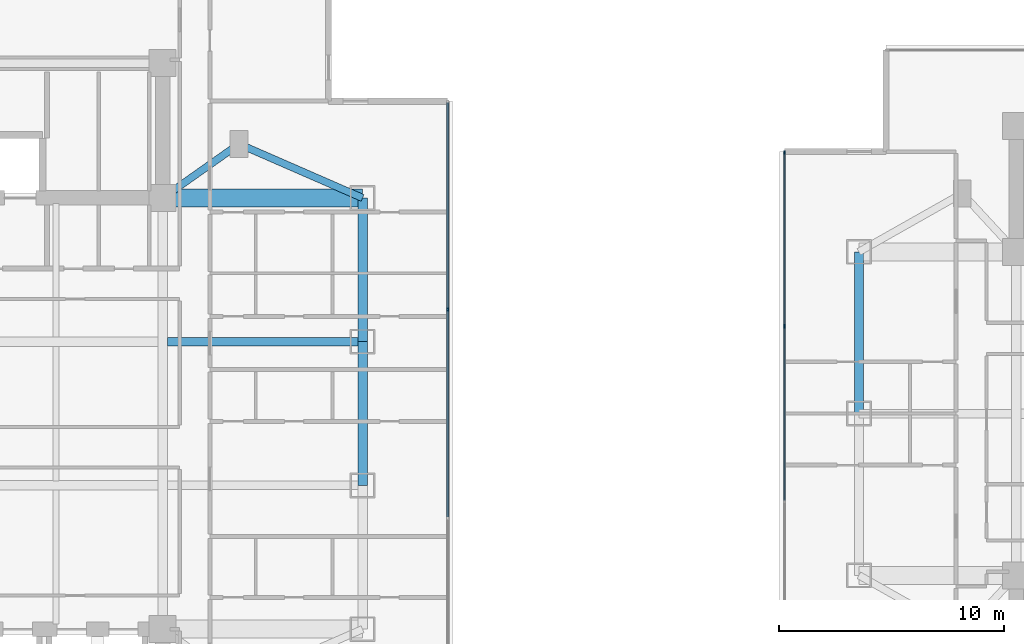
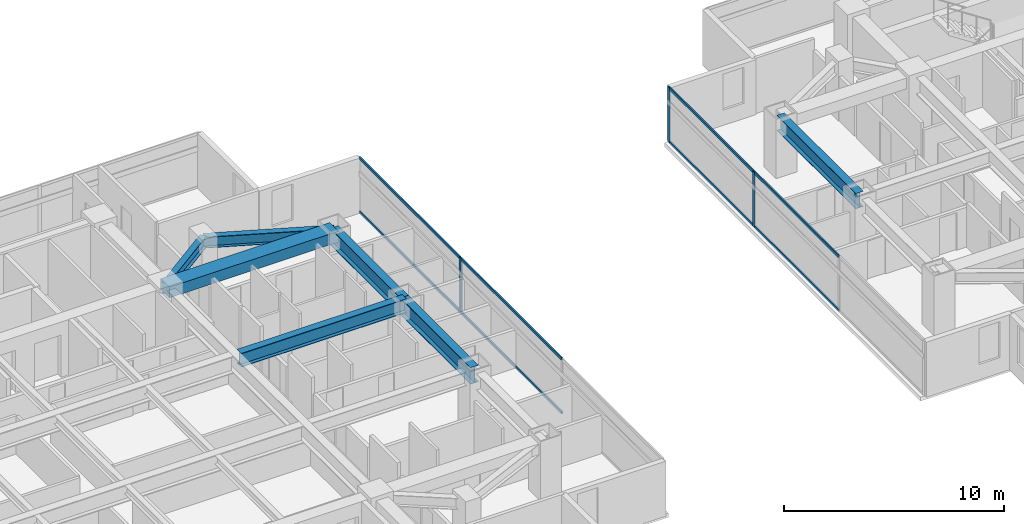
# One storey, part 6 of 25: 11 members, 7 beams, 2 elements without a shape of their own.
"""IFC4 building model written with IfcOpenShell, lengths in metres."""

from ifc_helpers import new_model, si_unit, direction, frame, origin, origin_2d, place, context, subcontext, project, spatial, rectangle, i_section, extrude, material, material_profile, profile_set, type_object, element, aggregate, save


model = new_model("IFC4")

# Units and contexts
model_context = context("Model", 3, precision=1e-05, world=origin(), true_north=direction((0.0, 1.0)))
body_context = subcontext(model_context, "Body", "Model", "MODEL_VIEW")
ifc_project = project(units=[si_unit("LENGTHUNIT", "METRE"), si_unit("AREAUNIT", "SQUARE_METRE"), si_unit("VOLUMEUNIT", "CUBIC_METRE"), si_unit("PLANEANGLEUNIT", "RADIAN"), si_unit("MASSUNIT", "GRAM", prefix="KILO")], contexts=[model_context])

# Site, building, storey
site_placement = place(None, origin())
site = spatial("IfcSite", under=ifc_project, at=site_placement, CompositionType="ELEMENT")
building_placement = place(site_placement, origin())
building = spatial("IfcBuilding", under=site, at=building_placement, Name="Mirazonda Arch Towers", CompositionType="ELEMENT")
storey_placement = place(building_placement, frame((0.0, 0.0, 111.5)))
storey = spatial("IfcBuildingStorey", under=building, at=storey_placement, Name="L31", CompositionType="ELEMENT", Elevation=111.5)

# Beams
ifc_material_1 = material(Name="Steel ASTM A992 Grade 50", Category="steel")
ifc_material_profile_1 = material_profile(ifc_material_1, i_section(OverallWidth=0.39990234375, OverallDepth=0.85595703125, WebThickness=0.018310546875, FlangeThickness=0.029296875, at=origin_2d()), Name="W33X201")
ifc_profile_set_1 = profile_set([ifc_material_profile_1], Name="Steel ASTM A992 Grade 50")
beam_type_1 = type_object("IfcBeamType", Name="BM-EXT-W33X201", PredefinedType="USERDEFINED", material=ifc_profile_set_1)
beam_1_placement = place(storey_placement, frame((61.0, 28.0, 2.652099609375), z_axis=(0.0, 1.0, 0.0), x_axis=(-1.0, 0.0, 0.0)))
element("IfcBeam", 1, at=beam_1_placement, inside=storey, type_object=beam_type_1, Name="L31 Floor Beam BM-T2-L31-NS-W-28", ObjectType="GIRDER", PredefinedType="USERDEFINED", context=body_context, shape_type="SweptSolid", body=[
    extrude(i_section(OverallWidth=0.39990234375, OverallDepth=0.85595703125, WebThickness=0.018310546875, FlangeThickness=0.029296875, at=origin_2d()), origin(), (0.0, 0.0, 1.0), 7.199951171875),
])
ifc_material_profile_2 = material_profile(ifc_material_1, i_section(OverallWidth=0.41796875, OverallDepth=0.927001953125, WebThickness=0.019287109375, FlangeThickness=0.031982421875, at=origin_2d()), Name="W36X231")
ifc_profile_set_2 = profile_set([ifc_material_profile_2], Name="Steel ASTM A992 Grade 50")
beam_type_2 = type_object("IfcBeamType", Name="BM-EXT-W36X231", PredefinedType="USERDEFINED", material=ifc_profile_set_2)
beam_2_placement = place(storey_placement, frame((38.89990234375, 24.800048828125, 2.616455078125), z_axis=(0.0, 1.0, 0.0), x_axis=(-1.0, 0.0, 0.0)))
element("IfcBeam", 2, at=beam_2_placement, inside=storey, type_object=beam_type_2, Name="L31 Floor Beam BM-T1-L31-NS-E-24", ObjectType="GIRDER", PredefinedType="USERDEFINED", context=body_context, shape_type="SweptSolid", body=[
    extrude(i_section(OverallWidth=0.41796875, OverallDepth=0.927001953125, WebThickness=0.019287109375, FlangeThickness=0.031982421875, at=origin_2d()), origin(), (0.0, 0.0, 1.0), 6.39990234375),
])
beam_3_placement = place(storey_placement, frame((38.89990234375, 31.199951171875, 2.616455078125), z_axis=(0.0, 1.0, 0.0), x_axis=(-1.0, 0.0, 0.0)))
element("IfcBeam", 3, at=beam_3_placement, inside=storey, type_object=beam_type_2, Name="L31 Floor Beam BM-T1-L31-NS-E-31", ObjectType="GIRDER", PredefinedType="USERDEFINED", context=body_context, shape_type="SweptSolid", body=[
    extrude(i_section(OverallWidth=0.41796875, OverallDepth=0.927001953125, WebThickness=0.019287109375, FlangeThickness=0.031982421875, at=origin_2d()), origin(), (0.0, 0.0, 1.0), 6.400146484375),
])
ifc_material_profile_3 = material_profile(ifc_material_1, i_section(OverallWidth=0.324951171875, OverallDepth=0.615966796875, WebThickness=0.013916015625, FlangeThickness=0.021484375, at=origin_2d()), Name="W24X117")
ifc_profile_set_3 = profile_set([ifc_material_profile_3], Name="Steel ASTM A992 Grade 50")
beam_type_3 = type_object("IfcBeamType", Name="BM-INT-W24X117", PredefinedType="BEAM", material=ifc_profile_set_3)
beam_4_placement = place(storey_placement, frame((33.39990234375, 40.0, 2.77197265625), z_axis=(-0.816971114901, -0.576678591087, 0.0), x_axis=(0.576678591087, -0.816971114901, 0.0)))
element("IfcBeam", 4, at=beam_4_placement, inside=storey, type_object=beam_type_3, Name="L31 Floor Beam BM-T1-L31-PL-NE1", PredefinedType="BEAM", context=body_context, shape_type="SweptSolid", body=[
    extrude(i_section(OverallWidth=0.324951171875, OverallDepth=0.615966796875, WebThickness=0.013916015625, FlangeThickness=0.021484375, at=origin_2d()), origin(), (0.0, 0.0, 1.0), 4.16162109375),
])
beam_5_placement = place(storey_placement, frame((33.39990234375, 40.0, 2.77197265625), z_axis=(0.916545343703, -0.399930785183, 0.0), x_axis=(0.399930785183, 0.916545343703, 0.0)))
element("IfcBeam", 5, at=beam_5_placement, inside=storey, type_object=beam_type_3, Name="L31 Floor Beam BM-T1-L31-PL-NE2", PredefinedType="BEAM", context=body_context, shape_type="SweptSolid", body=[
    extrude(i_section(OverallWidth=0.324951171875, OverallDepth=0.615966796875, WebThickness=0.013916015625, FlangeThickness=0.021484375, at=origin_2d()), origin(), (0.0, 0.0, 1.0), 6.000732421875),
])
ifc_material_profile_4 = material_profile(ifc_material_1, i_section(OverallWidth=0.381103515625, OverallDepth=0.77294921875, WebThickness=0.0166015625, FlangeThickness=0.027099609375, at=origin_2d()), Name="W30X173")
ifc_profile_set_4 = profile_set([ifc_material_profile_4], Name="Steel ASTM A992 Grade 50")
beam_type_4 = type_object("IfcBeamType", Name="BM-INT-W30X173", PredefinedType="USERDEFINED", material=ifc_profile_set_4)
beam_6_placement = place(storey_placement, frame((30.21142578125, 31.199951171875, 2.693603515625), z_axis=(1.0, 0.0, 0.0), x_axis=(0.0, 1.0, 0.0)))
element("IfcBeam", 6, at=beam_6_placement, inside=storey, type_object=beam_type_4, Name="L31 Floor Beam BM-T1-L31-GE3", ObjectType="GIRDER", PredefinedType="USERDEFINED", context=body_context, shape_type="SweptSolid", body=[
    extrude(i_section(OverallWidth=0.381103515625, OverallDepth=0.77294921875, WebThickness=0.0166015625, FlangeThickness=0.027099609375, at=origin_2d()), origin(), (0.0, 0.0, 1.0), 8.6884765625),
])
ifc_material_2 = material(Name="Concrete C60/75", Category="concrete")
ifc_material_profile_5 = material_profile(ifc_material_2, rectangle(XDim=0.800048828125, YDim=0.60009765625, at=origin_2d()), Name="RCCB800x600")
ifc_profile_set_5 = profile_set([ifc_material_profile_5], Name="Concrete C60/75")
beam_type_5 = type_object("IfcBeamType", Name="CB-INT-RCCB800x600", PredefinedType="SPANDREL", material=ifc_profile_set_5)
beam_7_placement = place(storey_placement, frame((30.0, 37.60009765625, 2.780029296875), z_axis=(1.0, 0.0, 0.0), x_axis=(0.0, 1.0, 0.0)))
element("IfcBeam", 7, at=beam_7_placement, inside=storey, type_object=beam_type_5, Name="L31 Floor Beam CBC-T1-L31-NE", PredefinedType="SPANDREL", context=body_context, shape_type="SweptSolid", body=[
    extrude(rectangle(XDim=0.800048828125, YDim=0.60009765625, at=origin_2d()), origin(), (0.0, 0.0, 1.0), 8.89990234375),
])

# Curtain wall, member
ifc_material_3 = material(Name="Anodised Aluminium and Low-E Glass", Category="aluminium")
curtain_wall_type = type_object("IfcCurtainWallType", Name="CW-HTL-UNIT", PredefinedType="NOTDEFINED", material=ifc_material_3)
curtain_wall_1_placement = place(storey_placement, origin())
curtain_wall_1 = element("IfcCurtainWall", 8, at=curtain_wall_1_placement, inside=storey, type_object=curtain_wall_type, Name="L31 T1 E Facade CW-L31-T1-E", PredefinedType="NOTDEFINED")
ifc_material_4 = material(Name="Anodised Aluminium Alloy", Category="aluminium")
ifc_material_profile_6 = material_profile(ifc_material_4, rectangle(XDim=0.074951171875, YDim=0.1650390625, at=origin_2d()), Name="ALU-MULL-75x165")
ifc_profile_set_6 = profile_set([ifc_material_profile_6], Name="Anodised Aluminium Alloy")
member_type_1 = type_object("IfcMemberType", Name="MULL-CW-HTL-UNIT", PredefinedType="MULLION", material=ifc_profile_set_6)
member_1_placement = place(storey_placement, frame((42.68994140625, 32.636962890625, 0.0), z_axis=(0.0, 0.0, 1.0), x_axis=(-1.0, 0.0, 0.0)))
member_1 = element("IfcMember", 9, at=member_1_placement, type_object=member_type_1, Name="CW-112 mullion 3", PredefinedType="MULLION", context=body_context, shape_type="SweptSolid", body=[
    extrude(rectangle(XDim=0.074951171875, YDim=0.1650390625, at=origin_2d()), origin(), (0.0, 0.0, 1.0), 3.06005859375),
])

# Curtain wall, members
curtain_wall_2_placement = place(storey_placement, origin())
curtain_wall_2 = element("IfcCurtainWall", 10, at=curtain_wall_2_placement, inside=storey, type_object=curtain_wall_type, Name="L31 T2 W Facade CW-L31-T2-W", PredefinedType="NOTDEFINED")
member_2_placement = place(storey_placement, frame((57.69140625, 39.626708984375, 0.0), z_axis=(0.0, 0.0, 1.0), x_axis=(1.0, 0.0, 0.0)))
member_2 = element("IfcMember", 11, at=member_2_placement, type_object=member_type_1, Name="CW-112 mullion 1", PredefinedType="MULLION", context=body_context, shape_type="SweptSolid", body=[
    extrude(rectangle(XDim=0.074951171875, YDim=0.1650390625, at=origin_2d()), origin(), (0.0, 0.0, 1.0), 3.06005859375),
])
member_3_placement = place(storey_placement, frame((57.69140625, 31.88818359375, 0.0), z_axis=(0.0, 0.0, 1.0), x_axis=(1.0, 0.0, 0.0)))
member_3 = element("IfcMember", 12, at=member_3_placement, type_object=member_type_1, Name="CW-112 mullion 2", PredefinedType="MULLION", context=body_context, shape_type="SweptSolid", body=[
    extrude(rectangle(XDim=0.074951171875, YDim=0.1650390625, at=origin_2d()), origin(), (0.0, 0.0, 1.0), 3.06005859375),
])

# Member
ifc_material_profile_7 = material_profile(ifc_material_4, rectangle(XDim=0.074951171875, YDim=0.14501953125, at=origin_2d()), Name="ALU-TRAN-75x145")
ifc_profile_set_7 = profile_set([ifc_material_profile_7], Name="Anodised Aluminium Alloy")
member_type_2 = type_object("IfcMemberType", Name="TRAN-CW-HTL-UNIT", PredefinedType="USERDEFINED", material=ifc_profile_set_7)
member_4_placement = place(storey_placement, frame((42.68994140625, 23.400390625, 0.03759765625), z_axis=(0.0, 1.0, 0.0), x_axis=(-1.0, 0.0, 0.0)))
member_4 = element("IfcMember", 13, at=member_4_placement, type_object=member_type_2, Name="CW-112 transom 2.1", ObjectType="TRANSOM", PredefinedType="USERDEFINED", context=body_context, shape_type="SweptSolid", body=[
    extrude(rectangle(XDim=0.074951171875, YDim=0.14501953125, at=origin_2d()), origin(), (0.0, 0.0, 1.0), 9.19921875),
])

member_5_placement = place(storey_placement, frame((42.68994140625, 23.400390625, 3.0224609375), z_axis=(0.0, 1.0, 0.0), x_axis=(-1.0, 0.0, 0.0)))
member_5 = element("IfcMember", 14, at=member_5_placement, type_object=member_type_2, Name="CW-112 transom 2.2", ObjectType="TRANSOM", PredefinedType="USERDEFINED", context=body_context, shape_type="SweptSolid", body=[
    extrude(rectangle(XDim=0.074951171875, YDim=0.14501953125, at=origin_2d()), origin(), (0.0, 0.0, 1.0), 9.19921875),
])

member_6_placement = place(storey_placement, frame((42.68994140625, 32.674560546875, 0.03759765625), z_axis=(0.0, 1.0, 0.0), x_axis=(-1.0, 0.0, 0.0)))
member_6 = element("IfcMember", 15, at=member_6_placement, type_object=member_type_2, Name="CW-112 transom 3.1", ObjectType="TRANSOM", PredefinedType="USERDEFINED", context=body_context, shape_type="SweptSolid", body=[
    extrude(rectangle(XDim=0.074951171875, YDim=0.14501953125, at=origin_2d()), origin(), (0.0, 0.0, 1.0), 9.161376953125),
])

member_7_placement = place(storey_placement, frame((42.68994140625, 32.674560546875, 3.0224609375), z_axis=(0.0, 1.0, 0.0), x_axis=(-1.0, 0.0, 0.0)))
member_7 = element("IfcMember", 16, at=member_7_placement, type_object=member_type_2, Name="CW-112 transom 3.2", ObjectType="TRANSOM", PredefinedType="USERDEFINED", context=body_context, shape_type="SweptSolid", body=[
    extrude(rectangle(XDim=0.074951171875, YDim=0.14501953125, at=origin_2d()), origin(), (0.0, 0.0, 1.0), 9.161376953125),
])

aggregate(curtain_wall_1, [member_1, member_4, member_5, member_6, member_7])

member_8_placement = place(storey_placement, frame((57.69140625, 39.58935546875, 0.03759765625), z_axis=(0.0, -1.0, 0.0), x_axis=(1.0, 0.0, 0.0)))
member_8 = element("IfcMember", 17, at=member_8_placement, type_object=member_type_2, Name="CW-112 transom 1.1", ObjectType="TRANSOM", PredefinedType="USERDEFINED", context=body_context, shape_type="SweptSolid", body=[
    extrude(rectangle(XDim=0.074951171875, YDim=0.14501953125, at=origin_2d()), origin(), (0.0, 0.0, 1.0), 7.663818359375),
])

member_9_placement = place(storey_placement, frame((57.69140625, 39.58935546875, 3.0224609375), z_axis=(0.0, -1.0, 0.0), x_axis=(1.0, 0.0, 0.0)))
member_9 = element("IfcMember", 18, at=member_9_placement, type_object=member_type_2, Name="CW-112 transom 1.2", ObjectType="TRANSOM", PredefinedType="USERDEFINED", context=body_context, shape_type="SweptSolid", body=[
    extrude(rectangle(XDim=0.074951171875, YDim=0.14501953125, at=origin_2d()), origin(), (0.0, 0.0, 1.0), 7.663818359375),
])

member_10_placement = place(storey_placement, frame((57.69140625, 31.8505859375, 0.03759765625), z_axis=(0.0, -1.0, 0.0), x_axis=(1.0, 0.0, 0.0)))
member_10 = element("IfcMember", 19, at=member_10_placement, type_object=member_type_2, Name="CW-112 transom 2.1", ObjectType="TRANSOM", PredefinedType="USERDEFINED", context=body_context, shape_type="SweptSolid", body=[
    extrude(rectangle(XDim=0.074951171875, YDim=0.14501953125, at=origin_2d()), origin(), (0.0, 0.0, 1.0), 7.701171875),
])

member_11_placement = place(storey_placement, frame((57.69140625, 31.8505859375, 3.0224609375), z_axis=(0.0, -1.0, 0.0), x_axis=(1.0, 0.0, 0.0)))
member_11 = element("IfcMember", 20, at=member_11_placement, type_object=member_type_2, Name="CW-112 transom 2.2", ObjectType="TRANSOM", PredefinedType="USERDEFINED", context=body_context, shape_type="SweptSolid", body=[
    extrude(rectangle(XDim=0.074951171875, YDim=0.14501953125, at=origin_2d()), origin(), (0.0, 0.0, 1.0), 7.701171875),
])

aggregate(curtain_wall_2, [member_2, member_3, member_8, member_9, member_10, member_11])

save(model, "model.ifc")
